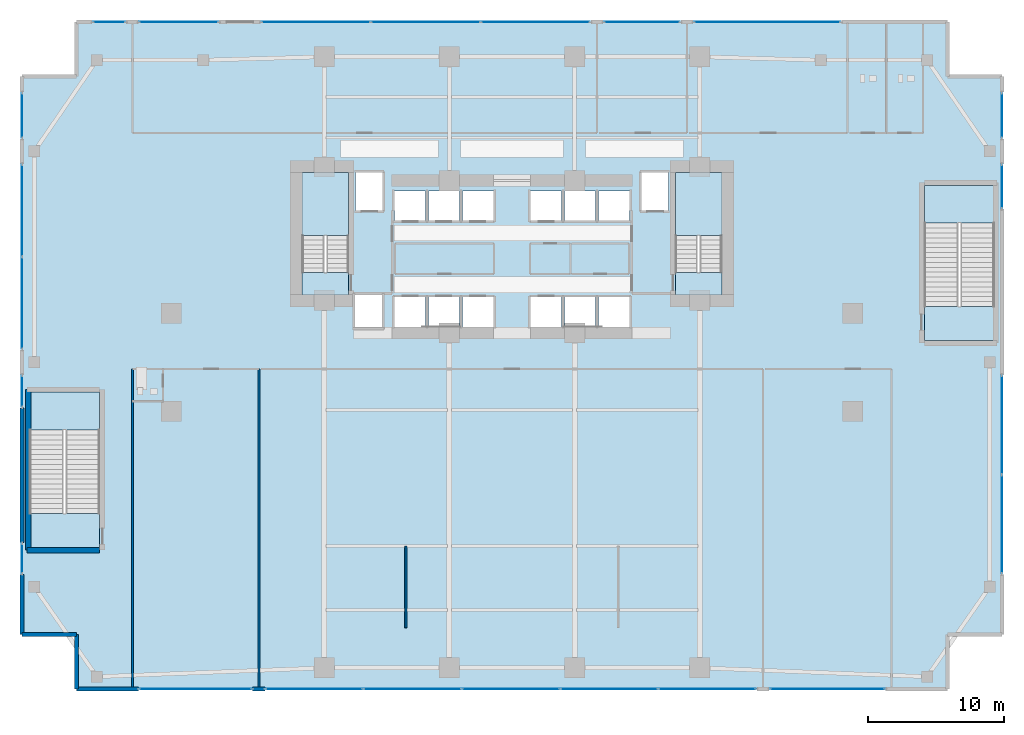
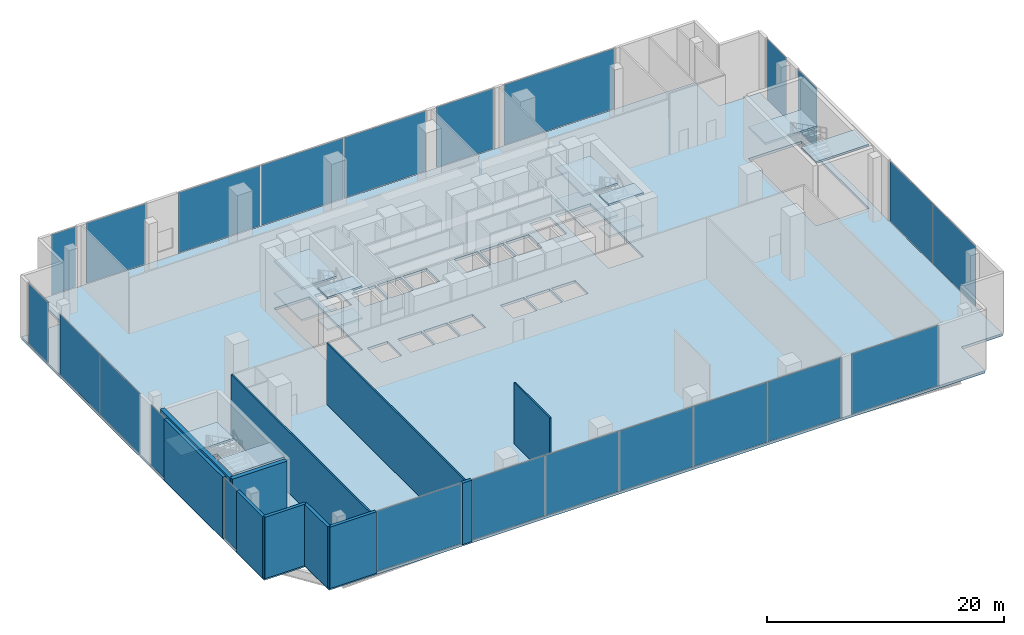
# One storey, part 22 of 30: 23 plates, 13 slabs, 11 walls, 19 elements without a shape of their own.
"""IFC4 building model written with IfcOpenShell, lengths in metres."""

import ifcopenshell
import ifcopenshell.guid

model = None  # the IFC model being written
_history = None  # IfcOwnerHistory: only IFC2X3 demands one
_inside = {}  # id of a spatial element -> (the spatial element, [elements in it])
_under = {}  # id of a project, library or spatial element -> (it, [spatial elements below it])
_declared = {}  # id of a project -> (the project, [libraries it declares])
_typed = {}  # id of a type object -> (the type object, [elements of that type])
_made_of = {}  # id of a material, layer set ... -> (it, [elements and type objects made of it])


def new_model(schema):
    """Start an empty IFC model of exactly this schema.

    Asked for "IFC4X3", IfcOpenShell would pick the latest addendum, in which some entities
    have other attributes; the version numbers below select the first issue.
    IFC2X3 requires an IfcOwnerHistory on every rooted entity: one is made here for all.
    """
    global model, _history
    if schema == "IFC4X3":
        model = ifcopenshell.file(schema_version=(4, 3, 0, 0))
    else:
        model = ifcopenshell.file(schema=schema)
    _inside.clear()
    _under.clear()
    _declared.clear()
    _typed.clear()
    _made_of.clear()
    _history = None
    if model.schema == "IFC2X3":
        org = make("IfcOrganization", Name="unknown")
        user = make(
            "IfcPersonAndOrganization",
            ThePerson=make("IfcPerson", FamilyName="unknown"),
            TheOrganization=org,
        )
        app = make(
            "IfcApplication",
            ApplicationDeveloper=org,
            Version="unknown",
            ApplicationFullName="unknown",
            ApplicationIdentifier="unknown",
        )
        _history = make(
            "IfcOwnerHistory",
            OwningUser=user,
            OwningApplication=app,
            ChangeAction="ADDED",
            CreationDate=0,
        )
    return model


def make(cls, **values):
    """One entity of the class cls with the attributes given. An attribute that is None is left unset."""
    return model.create_entity(
        cls, **{name: value for name, value in values.items() if value is not None}
    )


def rooted(cls, **values):
    """An entity with a GlobalId (a new one), such as an element, a storey or a relation."""
    return make(cls, GlobalId=ifcopenshell.guid.new(), OwnerHistory=_history, **values)


def si_unit(unit_type, name, prefix=None):
    """IfcSIUnit, for example si_unit("LENGTHUNIT", "METRE", prefix="MILLI")."""
    return make("IfcSIUnit", UnitType=unit_type, Prefix=prefix, Name=name)


def assignment(units):
    """IfcUnitAssignment: the units of a project."""
    return None if units is None else make("IfcUnitAssignment", Units=units)


def point(xyz):
    """IfcCartesianPoint."""
    return None if xyz is None else make("IfcCartesianPoint", Coordinates=xyz)


def direction(xyz):
    """IfcDirection."""
    return None if xyz is None else make("IfcDirection", DirectionRatios=xyz)


def frame(location, z_axis=None, x_axis=None):
    """IfcAxis2Placement3D, a coordinate frame: its origin and axes. An axis left out is left unset."""
    return make(
        "IfcAxis2Placement3D",
        Location=point(location),
        Axis=direction(z_axis),
        RefDirection=direction(x_axis),
    )


def frame_2d(location, x_axis=None):
    """IfcAxis2Placement2D, a coordinate frame in the plane: its origin and x axis."""
    return make(
        "IfcAxis2Placement2D", Location=point(location), RefDirection=direction(x_axis)
    )


def origin():
    """The frame at (0, 0, 0) with its axes left unset."""
    return frame((0.0, 0.0, 0.0))


def origin_2d():
    """The frame at (0, 0) in the plane with its x axis left unset."""
    return frame_2d((0.0, 0.0))


def place(relative_to, where):
    """IfcLocalPlacement: puts the frame where relative to a parent placement (None: the world)."""
    return make(
        "IfcLocalPlacement", PlacementRelTo=relative_to, RelativePlacement=where
    )


def context(
    kind, dimensions, precision=None, world=None, true_north=None, identifier=None
):
    """IfcGeometricRepresentationContext, for example the 3D "Model" context."""
    return make(
        "IfcGeometricRepresentationContext",
        ContextIdentifier=identifier,
        ContextType=kind,
        CoordinateSpaceDimension=dimensions,
        Precision=precision,
        WorldCoordinateSystem=world,
        TrueNorth=true_north,
    )


def subcontext(parent, identifier, kind, view, scale=None):
    """IfcGeometricRepresentationSubContext, for example "Body" below "Model"."""
    return make(
        "IfcGeometricRepresentationSubContext",
        ContextIdentifier=identifier,
        ContextType=kind,
        ParentContext=parent,
        TargetScale=scale,
        TargetView=view,
    )


def project(units=None, contexts=None):
    """IfcProject with its units and contexts."""
    return rooted(
        "IfcProject",
        Name="project",
        RepresentationContexts=contexts,
        UnitsInContext=assignment(units),
    )


def spatial(cls, under=None, at=None, **own):
    """A site, building, storey or space (cls), placed at a placement, below another one or the project."""
    s = rooted(cls, ObjectPlacement=at, **own)
    if under is not None:
        _under.setdefault(under.id(), (under, []))[1].append(s)
    return s


def polyline(points):
    """IfcPolyline through the points."""
    return make("IfcPolyline", Points=[point(p) for p in points])


def profile(cls, at=None, kind="AREA", **sizes):
    """A parametric profile (cls). Its sizes go by their IFC names, for example OverallWidth=200.0."""
    return make(cls, ProfileType=kind, Position=at, **sizes)


def rectangle(**sizes):
    """IfcRectangleProfileDef."""
    return profile("IfcRectangleProfileDef", **sizes)


def outline(outer, holes=None, kind="AREA"):
    """IfcArbitraryClosedProfileDef: a profile drawn as a closed curve; with holes, ...WithVoids."""
    if holes is None:
        return make("IfcArbitraryClosedProfileDef", ProfileType=kind, OuterCurve=outer)
    return make(
        "IfcArbitraryProfileDefWithVoids",
        ProfileType=kind,
        OuterCurve=outer,
        InnerCurves=holes,
    )


def extrude(swept, where, along, depth):
    """IfcExtrudedAreaSolid: the profile swept, set in the frame where, extruded along a direction by depth."""
    return make(
        "IfcExtrudedAreaSolid",
        SweptArea=swept,
        Position=where,
        ExtrudedDirection=direction(along),
        Depth=depth,
    )


def shape(context_of_items, identifier, shape_type, items):
    """IfcShapeRepresentation: the items that make up one representation, for example the "Body"."""
    return make(
        "IfcShapeRepresentation",
        ContextOfItems=context_of_items,
        RepresentationIdentifier=identifier,
        RepresentationType=shape_type,
        Items=items,
    )


def material(Name=None, Category=None):
    """IfcMaterial."""
    return make("IfcMaterial", Name=Name, Category=Category)


def layer(
    of_material, thickness, ventilated=None, Name=None, Category=None, Priority=None
):
    """IfcMaterialLayer: one layer of a wall or slab, of a material (None: an air gap)."""
    return make(
        "IfcMaterialLayer",
        Material=of_material,
        LayerThickness=thickness,
        IsVentilated=ventilated,
        Name=Name,
        Category=Category,
        Priority=Priority,
    )


def layer_set(layers, Name=None):
    """IfcMaterialLayerSet."""
    return make("IfcMaterialLayerSet", MaterialLayers=layers, LayerSetName=Name)


def made_of(thing, what):
    """Note that an element or type object is made of a material, layer set ...; save() writes the relation."""
    if what is not None:
        _made_of.setdefault(what.id(), (what, []))[1].append(thing)
    return thing


def type_object(cls, material=None, **own):
    """A type object (cls), such as IfcWallType, which elements share."""
    return made_of(rooted(cls, **own), material)


def element(
    cls,
    number,
    at=None,
    inside=None,
    cuts=None,
    type_object=None,
    material=None,
    context=None,
    identifier="Body",
    shape_type=None,
    held_by="IfcProductDefinitionShape",
    body=None,
    shapes=None,
    **own,
):
    """One element of the class cls, such as IfcWall. Its Tag is "e" and its number.

    at: its placement. inside: the storey or other place that contains it. cuts: it is an
    opening in that element (IfcRelVoidsElement). A single representation is given by context,
    identifier, shape_type and body (its items); several are given by shapes. held_by: the class
    of the entity that holds the representations. save() writes the other relations.
    """
    e = rooted(cls, Tag="e%d" % number, ObjectPlacement=at, **own)
    if body is not None:
        shapes = [shape(context, identifier, shape_type, body)]
    if shapes is not None:
        e.Representation = make(held_by, Representations=shapes)
    if inside is not None:
        _inside.setdefault(inside.id(), (inside, []))[1].append(e)
    if cuts is not None:
        rooted(
            "IfcRelVoidsElement", RelatingBuildingElement=cuts, RelatedOpeningElement=e
        )
    if type_object is not None:
        _typed.setdefault(type_object.id(), (type_object, []))[1].append(e)
    return made_of(e, material)


def aggregate(whole, parts):
    """IfcRelAggregates: a whole, such as a stair, and the parts it consists of."""
    return rooted("IfcRelAggregates", RelatingObject=whole, RelatedObjects=parts)


def save(model, path):
    """Write the relations noted so far, then the file.

    IfcRelAggregates (storeys below a building ...), IfcRelContainedInSpatialStructure (elements
    in a storey), IfcRelDefinesByType, IfcRelAssociatesMaterial and IfcRelDeclares: one each for
    every whole, place, type object, material and project.
    """
    for whole, parts in _under.values():
        aggregate(whole, parts)
    for where, things in _inside.values():
        rooted(
            "IfcRelContainedInSpatialStructure",
            RelatedElements=things,
            RelatingStructure=where,
        )
    for kind, things in _typed.values():
        rooted("IfcRelDefinesByType", RelatedObjects=things, RelatingType=kind)
    for what, things in _made_of.values():
        rooted("IfcRelAssociatesMaterial", RelatedObjects=things, RelatingMaterial=what)
    for by, libraries in _declared.values():
        rooted("IfcRelDeclares", RelatingContext=by, RelatedDefinitions=libraries)
    model.write(path)


model = new_model("IFC4")

# Units and contexts
model_context = context("Model", 3, precision=1e-05, world=origin(), true_north=direction((0.0, 1.0)))
body_context = subcontext(model_context, "Body", "Model", "MODEL_VIEW")
ifc_project = project(units=[si_unit("LENGTHUNIT", "METRE"), si_unit("AREAUNIT", "SQUARE_METRE"), si_unit("VOLUMEUNIT", "CUBIC_METRE"), si_unit("PLANEANGLEUNIT", "RADIAN"), si_unit("MASSUNIT", "GRAM", prefix="KILO")], contexts=[model_context])

# Site, building, storey
site_placement = place(None, origin())
site = spatial("IfcSite", under=ifc_project, at=site_placement, CompositionType="ELEMENT")
building_placement = place(site_placement, origin())
building = spatial("IfcBuilding", under=site, at=building_placement, Name="Zuhayl Quay Hotel", CompositionType="ELEMENT")
storey_placement = place(building_placement, frame((0.0, 0.0, 11.39990234375)))
storey = spatial("IfcBuildingStorey", under=building, at=storey_placement, Name="L02", CompositionType="ELEMENT", Elevation=11.39990234375)

# Curtain wall, plate
ifc_material_1 = material(Name="Anodised Aluminium 6063-T6", Category="aluminium")
ifc_layer_1 = layer(ifc_material_1, 0.199951171875, Name="Anodised Aluminium 6063-T6", Category="aluminium")
ifc_layer_set_1 = layer_set([ifc_layer_1], Name="Anodised Aluminium 6063-T6")
curtain_wall_type = type_object("IfcCurtainWallType", Name="CW_SYS_POD", PredefinedType="USERDEFINED", material=ifc_layer_set_1)
curtain_wall_1_placement = place(storey_placement, origin())
curtain_wall_1 = element("IfcCurtainWall", 1, at=curtain_wall_1_placement, inside=storey, type_object=curtain_wall_type, Name="L02 Curtain Wall ENV_L02_E02_CW1", ObjectType="UNITISED CURTAIN WALL", PredefinedType="USERDEFINED")
ifc_material_2 = material(Name="Low-E Insulated Clear Vision Glass", Category="glass")
ifc_layer_2 = layer(ifc_material_2, 0.031982421875, Name="Low-E Insulated Clear Vision Glass", Category="glass")
ifc_layer_set_2 = layer_set([ifc_layer_2], Name="Low-E Insulated Clear Vision Glass")
plate_type = type_object("IfcPlateType", Name="PN_POD_VISION", PredefinedType="CURTAIN_PANEL", material=ifc_layer_set_2)
plate_1_placement = place(storey_placement, frame((-36.0, -14.4150390625, 0.06005859375), z_axis=(0.0, 0.0, 1.0), x_axis=(0.0, 1.0, 0.0)))
plate_1 = element("IfcPlate", 2, at=plate_1_placement, type_object=plate_type, Name="CW-POD panel 1.1", PredefinedType="CURTAIN_PANEL", context=body_context, shape_type="SweptSolid", body=[
    extrude(rectangle(XDim=2.179931640625, YDim=0.031982421875, at=origin_2d()), origin(), (0.0, 0.0, 1.0), 6.219970703125),
])
aggregate(curtain_wall_1, [plate_1])

curtain_wall_2_placement = place(storey_placement, origin())
curtain_wall_2 = element("IfcCurtainWall", 3, at=curtain_wall_2_placement, inside=storey, type_object=curtain_wall_type, Name="L02 Curtain Wall ENV_L02_E02_CW2", ObjectType="UNITISED CURTAIN WALL", PredefinedType="USERDEFINED")
plate_2_placement = place(storey_placement, frame((-36.0, -2.135009765625, 0.06005859375), z_axis=(0.0, 0.0, 1.0), x_axis=(0.0, 1.0, 0.0)))
plate_2 = element("IfcPlate", 4, at=plate_2_placement, type_object=plate_type, Name="CW-POD panel 1.1", PredefinedType="CURTAIN_PANEL", context=body_context, shape_type="SweptSolid", body=[
    extrude(rectangle(XDim=2.280029296875, YDim=0.031982421875, at=origin_2d()), origin(), (0.0, 0.0, 1.0), 6.219970703125),
])
aggregate(curtain_wall_2, [plate_2])

# Curtain wall, plates
curtain_wall_3_placement = place(storey_placement, origin())
curtain_wall_3 = element("IfcCurtainWall", 5, at=curtain_wall_3_placement, inside=storey, type_object=curtain_wall_type, Name="L02 Curtain Wall ENV_L02_E02_CW3", ObjectType="UNITISED CURTAIN WALL", PredefinedType="USERDEFINED")
plate_3_placement = place(storey_placement, frame((-36.0, 4.353759765625, 0.06005859375), z_axis=(0.0, 0.0, 1.0), x_axis=(0.0, 1.0, 0.0)))
plate_3 = element("IfcPlate", 6, at=plate_3_placement, type_object=plate_type, Name="CW-POD panel 1.1", PredefinedType="CURTAIN_PANEL", context=body_context, shape_type="SweptSolid", body=[
    extrude(rectangle(XDim=6.717529296875, YDim=0.031982421875, at=origin_2d()), origin(), (0.0, 0.0, 1.0), 6.219970703125),
])
plate_4_placement = place(storey_placement, frame((-36.0, 11.146240234375, 0.06005859375), z_axis=(0.0, 0.0, 1.0), x_axis=(0.0, 1.0, 0.0)))
plate_4 = element("IfcPlate", 7, at=plate_4_placement, type_object=plate_type, Name="CW-POD panel 2.1", PredefinedType="CURTAIN_PANEL", context=body_context, shape_type="SweptSolid", body=[
    extrude(rectangle(XDim=6.717529296875, YDim=0.031982421875, at=origin_2d()), origin(), (0.0, 0.0, 1.0), 6.219970703125),
])
aggregate(curtain_wall_3, [plate_3, plate_4])

# Curtain wall, plate
curtain_wall_4_placement = place(storey_placement, origin())
curtain_wall_4 = element("IfcCurtainWall", 8, at=curtain_wall_4_placement, inside=storey, type_object=curtain_wall_type, Name="L02 Curtain Wall ENV_L02_E02_CW4", ObjectType="UNITISED CURTAIN WALL", PredefinedType="USERDEFINED")
plate_5_placement = place(storey_placement, frame((-36.0, 18.135009765625, 0.06005859375), z_axis=(0.0, 0.0, 1.0), x_axis=(0.0, 1.0, 0.0)))
plate_5 = element("IfcPlate", 9, at=plate_5_placement, type_object=plate_type, Name="CW-POD panel 1.1", PredefinedType="CURTAIN_PANEL", context=body_context, shape_type="SweptSolid", body=[
    extrude(rectangle(XDim=3.280029296875, YDim=0.031982421875, at=origin_2d()), origin(), (0.0, 0.0, 1.0), 6.219970703125),
])
aggregate(curtain_wall_4, [plate_5])

curtain_wall_5_placement = place(storey_placement, origin())
curtain_wall_5 = element("IfcCurtainWall", 10, at=curtain_wall_5_placement, inside=storey, type_object=curtain_wall_type, Name="L02 Curtain Wall ENV_L02_E05_CW1", ObjectType="UNITISED CURTAIN WALL", PredefinedType="USERDEFINED")
plate_6_placement = place(storey_placement, frame((-29.60009765625, 25.0, 0.06005859375), z_axis=(0.0, 0.0, 1.0), x_axis=(1.0, 0.0, 0.0)))
plate_6 = element("IfcPlate", 11, at=plate_6_placement, type_object=plate_type, Name="CW-POD panel 1.1", PredefinedType="CURTAIN_PANEL", context=body_context, shape_type="SweptSolid", body=[
    extrude(rectangle(XDim=2.35009765625, YDim=0.031982421875, at=origin_2d()), origin(), (0.0, 0.0, 1.0), 6.219970703125),
])
aggregate(curtain_wall_5, [plate_6])

curtain_wall_6_placement = place(storey_placement, origin())
curtain_wall_6 = element("IfcCurtainWall", 12, at=curtain_wall_6_placement, inside=storey, type_object=curtain_wall_type, Name="L02 Curtain Wall ENV_L02_E05_CW2", ObjectType="UNITISED CURTAIN WALL", PredefinedType="USERDEFINED")
plate_7_placement = place(storey_placement, frame((-24.487548828125, 25.0, 0.06005859375), z_axis=(0.0, 0.0, 1.0), x_axis=(1.0, 0.0, 0.0)))
plate_7 = element("IfcPlate", 13, at=plate_7_placement, type_object=plate_type, Name="CW-POD panel 1.1", PredefinedType="CURTAIN_PANEL", context=body_context, shape_type="SweptSolid", body=[
    extrude(rectangle(XDim=5.77490234375, YDim=0.031982421875, at=origin_2d()), origin(), (0.0, 0.0, 1.0), 6.219970703125),
])
aggregate(curtain_wall_6, [plate_7])

# Curtain wall, plates
curtain_wall_7_placement = place(storey_placement, origin())
curtain_wall_7 = element("IfcCurtainWall", 14, at=curtain_wall_7_placement, inside=storey, type_object=curtain_wall_type, Name="L02 Curtain Wall ENV_L02_E05_CW3", ObjectType="UNITISED CURTAIN WALL", PredefinedType="USERDEFINED")
plate_8_placement = place(storey_placement, frame((-14.412109375, 25.0, 0.06005859375), z_axis=(0.0, 0.0, 1.0), x_axis=(1.0, 0.0, 0.0)))
plate_8 = element("IfcPlate", 15, at=plate_8_placement, type_object=plate_type, Name="CW-POD panel 1.1", PredefinedType="CURTAIN_PANEL", context=body_context, shape_type="SweptSolid", body=[
    extrude(rectangle(XDim=7.975830078125, YDim=0.031982421875, at=origin_2d()), origin(), (0.0, 0.0, 1.0), 6.219970703125),
])
plate_9_placement = place(storey_placement, frame((-6.342529296875, 25.0, 0.06005859375), z_axis=(0.0, 0.0, 1.0), x_axis=(1.0, 0.0, 0.0)))
plate_9 = element("IfcPlate", 16, at=plate_9_placement, type_object=plate_type, Name="CW-POD panel 2.1", PredefinedType="CURTAIN_PANEL", context=body_context, shape_type="SweptSolid", body=[
    extrude(rectangle(XDim=8.013427734375, YDim=0.031982421875, at=origin_2d()), origin(), (0.0, 0.0, 1.0), 6.219970703125),
])
plate_10_placement = place(storey_placement, frame((1.72705078125, 25.0, 0.06005859375), z_axis=(0.0, 0.0, 1.0), x_axis=(1.0, 0.0, 0.0)))
plate_10 = element("IfcPlate", 17, at=plate_10_placement, type_object=plate_type, Name="CW-POD panel 3.1", PredefinedType="CURTAIN_PANEL", context=body_context, shape_type="SweptSolid", body=[
    extrude(rectangle(XDim=7.975830078125, YDim=0.031982421875, at=origin_2d()), origin(), (0.0, 0.0, 1.0), 6.219970703125),
])
aggregate(curtain_wall_7, [plate_8, plate_9, plate_10])

# Curtain wall, plate
curtain_wall_8_placement = place(storey_placement, origin())
curtain_wall_8 = element("IfcCurtainWall", 18, at=curtain_wall_8_placement, inside=storey, type_object=curtain_wall_type, Name="L02 Curtain Wall ENV_L02_E05_CW4", ObjectType="UNITISED CURTAIN WALL", PredefinedType="USERDEFINED")
plate_11_placement = place(storey_placement, frame((9.544921875, 25.0, 0.06005859375), z_axis=(0.0, 0.0, 1.0), x_axis=(1.0, 0.0, 0.0)))
plate_11 = element("IfcPlate", 19, at=plate_11_placement, type_object=plate_type, Name="CW-POD panel 1.1", PredefinedType="CURTAIN_PANEL", context=body_context, shape_type="SweptSolid", body=[
    extrude(rectangle(XDim=5.56005859375, YDim=0.031982421875, at=origin_2d()), origin(), (0.0, 0.0, 1.0), 6.219970703125),
])
aggregate(curtain_wall_8, [plate_11])

curtain_wall_9_placement = place(storey_placement, origin())
curtain_wall_9 = element("IfcCurtainWall", 20, at=curtain_wall_9_placement, inside=storey, type_object=curtain_wall_type, Name="L02 Curtain Wall ENV_L02_E05_CW5", ObjectType="UNITISED CURTAIN WALL", PredefinedType="USERDEFINED")
plate_12_placement = place(storey_placement, frame((18.75, 25.0, 0.06005859375), z_axis=(0.0, 0.0, 1.0), x_axis=(1.0, 0.0, 0.0)))
plate_12 = element("IfcPlate", 21, at=plate_12_placement, type_object=plate_type, Name="CW-POD panel 1.1", PredefinedType="CURTAIN_PANEL", context=body_context, shape_type="SweptSolid", body=[
    extrude(rectangle(XDim=10.75, YDim=0.031982421875, at=origin_2d()), origin(), (0.0, 0.0, 1.0), 6.219970703125),
])
aggregate(curtain_wall_9, [plate_12])

curtain_wall_10_placement = place(storey_placement, origin())
curtain_wall_10 = element("IfcCurtainWall", 22, at=curtain_wall_10_placement, inside=storey, type_object=curtain_wall_type, Name="L02 Curtain Wall ENV_L02_E08_CW1", ObjectType="UNITISED CURTAIN WALL", PredefinedType="USERDEFINED")
plate_13_placement = place(storey_placement, frame((36.0, 18.135009765625, 0.06005859375), z_axis=(0.0, 0.0, 1.0), x_axis=(0.0, -1.0, 0.0)))
plate_13 = element("IfcPlate", 23, at=plate_13_placement, type_object=plate_type, Name="CW-POD panel 1.1", PredefinedType="CURTAIN_PANEL", context=body_context, shape_type="SweptSolid", body=[
    extrude(rectangle(XDim=3.280029296875, YDim=0.031982421875, at=origin_2d()), origin(), (0.0, 0.0, 1.0), 6.219970703125),
])
aggregate(curtain_wall_10, [plate_13])

curtain_wall_11_placement = place(storey_placement, origin())
curtain_wall_11 = element("IfcCurtainWall", 24, at=curtain_wall_11_placement, inside=storey, type_object=curtain_wall_type, Name="L02 Curtain Wall ENV_L02_E08_CW2", ObjectType="UNITISED CURTAIN WALL", PredefinedType="USERDEFINED")
plate_14_placement = place(storey_placement, frame((36.0, 12.9150390625, 0.06005859375), z_axis=(0.0, 0.0, 1.0), x_axis=(0.0, -1.0, 0.0)))
plate_14 = element("IfcPlate", 25, at=plate_14_placement, type_object=plate_type, Name="CW-POD panel 1.1", PredefinedType="CURTAIN_PANEL", context=body_context, shape_type="SweptSolid", body=[
    extrude(rectangle(XDim=3.179931640625, YDim=0.031982421875, at=origin_2d()), origin(), (0.0, 0.0, 1.0), 6.219970703125),
])
aggregate(curtain_wall_11, [plate_14])

# Curtain wall, plates
curtain_wall_12_placement = place(storey_placement, origin())
curtain_wall_12 = element("IfcCurtainWall", 26, at=curtain_wall_12_placement, inside=storey, type_object=curtain_wall_type, Name="L02 Curtain Wall ENV_L02_E08_CW3", ObjectType="UNITISED CURTAIN WALL", PredefinedType="USERDEFINED")
plate_15_placement = place(storey_placement, frame((36.0, -4.603759765625, 0.06005859375), z_axis=(0.0, 0.0, 1.0), x_axis=(0.0, -1.0, 0.0)))
plate_15 = element("IfcPlate", 27, at=plate_15_placement, type_object=plate_type, Name="CW-POD panel 1.1", PredefinedType="CURTAIN_PANEL", context=body_context, shape_type="SweptSolid", body=[
    extrude(rectangle(XDim=7.217529296875, YDim=0.031982421875, at=origin_2d()), origin(), (0.0, 0.0, 1.0), 6.219970703125),
])
plate_16_placement = place(storey_placement, frame((36.0, -11.896240234375, 0.06005859375), z_axis=(0.0, 0.0, 1.0), x_axis=(0.0, -1.0, 0.0)))
plate_16 = element("IfcPlate", 28, at=plate_16_placement, type_object=plate_type, Name="CW-POD panel 2.1", PredefinedType="CURTAIN_PANEL", context=body_context, shape_type="SweptSolid", body=[
    extrude(rectangle(XDim=7.217529296875, YDim=0.031982421875, at=origin_2d()), origin(), (0.0, 0.0, 1.0), 6.219970703125),
])
aggregate(curtain_wall_12, [plate_15, plate_16])

# Curtain wall, plate
curtain_wall_13_placement = place(storey_placement, origin())
curtain_wall_13 = element("IfcCurtainWall", 29, at=curtain_wall_13_placement, inside=storey, type_object=curtain_wall_type, Name="L02 Curtain Wall ENV_L02_E11_CW1", ObjectType="UNITISED CURTAIN WALL", PredefinedType="USERDEFINED")
plate_17_placement = place(storey_placement, frame((23.169921875, -24.0, 0.06005859375), z_axis=(0.0, 0.0, 1.0), x_axis=(-1.0, 0.0, 0.0)))
plate_17 = element("IfcPlate", 30, at=plate_17_placement, type_object=plate_type, Name="CW-POD panel 1.1", PredefinedType="CURTAIN_PANEL", context=body_context, shape_type="SweptSolid", body=[
    extrude(rectangle(XDim=8.409912109375, YDim=0.031982421875, at=origin_2d()), origin(), (0.0, 0.0, 1.0), 6.219970703125),
])
aggregate(curtain_wall_13, [plate_17])

# Curtain wall, plates
curtain_wall_14_placement = place(storey_placement, origin())
curtain_wall_14 = element("IfcCurtainWall", 31, at=curtain_wall_14_placement, inside=storey, type_object=curtain_wall_type, Name="L02 Curtain Wall ENV_L02_E11_CW2", ObjectType="UNITISED CURTAIN WALL", PredefinedType="USERDEFINED")
plate_18_placement = place(storey_placement, frame((14.357177734375, -24.0, 0.06005859375), z_axis=(0.0, 0.0, 1.0), x_axis=(-1.0, 0.0, 0.0)))
plate_18 = element("IfcPlate", 32, at=plate_18_placement, type_object=plate_type, Name="CW-POD panel 1.1", PredefinedType="CURTAIN_PANEL", context=body_context, shape_type="SweptSolid", body=[
    extrude(rectangle(XDim=7.115478515625, YDim=0.031982421875, at=origin_2d()), origin(), (0.0, 0.0, 1.0), 6.219970703125),
])
plate_19_placement = place(storey_placement, frame((7.14794921875, -24.0, 0.06005859375), z_axis=(0.0, 0.0, 1.0), x_axis=(-1.0, 0.0, 0.0)))
plate_19 = element("IfcPlate", 33, at=plate_19_placement, type_object=plate_type, Name="CW-POD panel 2.1", PredefinedType="CURTAIN_PANEL", context=body_context, shape_type="SweptSolid", body=[
    extrude(rectangle(XDim=7.153076171875, YDim=0.031982421875, at=origin_2d()), origin(), (0.0, 0.0, 1.0), 6.219970703125),
])
plate_20_placement = place(storey_placement, frame((-0.080078125, -24.0, 0.06005859375), z_axis=(0.0, 0.0, 1.0), x_axis=(-1.0, 0.0, 0.0)))
plate_20 = element("IfcPlate", 34, at=plate_20_placement, type_object=plate_type, Name="CW-POD panel 3.1", PredefinedType="CURTAIN_PANEL", context=body_context, shape_type="SweptSolid", body=[
    extrude(rectangle(XDim=7.153076171875, YDim=0.031982421875, at=origin_2d()), origin(), (0.0, 0.0, 1.0), 6.219970703125),
])
plate_21_placement = place(storey_placement, frame((-7.30810546875, -24.0, 0.06005859375), z_axis=(0.0, 0.0, 1.0), x_axis=(-1.0, 0.0, 0.0)))
plate_21 = element("IfcPlate", 35, at=plate_21_placement, type_object=plate_type, Name="CW-POD panel 4.1", PredefinedType="CURTAIN_PANEL", context=body_context, shape_type="SweptSolid", body=[
    extrude(rectangle(XDim=7.153076171875, YDim=0.031982421875, at=origin_2d()), origin(), (0.0, 0.0, 1.0), 6.219970703125),
])
plate_22_placement = place(storey_placement, frame((-14.517333984375, -24.0, 0.06005859375), z_axis=(0.0, 0.0, 1.0), x_axis=(-1.0, 0.0, 0.0)))
plate_22 = element("IfcPlate", 36, at=plate_22_placement, type_object=plate_type, Name="CW-POD panel 5.1", PredefinedType="CURTAIN_PANEL", context=body_context, shape_type="SweptSolid", body=[
    extrude(rectangle(XDim=7.115478515625, YDim=0.031982421875, at=origin_2d()), origin(), (0.0, 0.0, 1.0), 6.219970703125),
])
aggregate(curtain_wall_14, [plate_18, plate_19, plate_20, plate_21, plate_22])

# Curtain wall, plate
curtain_wall_15_placement = place(storey_placement, origin())
curtain_wall_15 = element("IfcCurtainWall", 37, at=curtain_wall_15_placement, inside=storey, type_object=curtain_wall_type, Name="L02 Curtain Wall ENV_L02_E11_CW3", ObjectType="UNITISED CURTAIN WALL", PredefinedType="USERDEFINED")
plate_23_placement = place(storey_placement, frame((-23.25, -24.0, 0.06005859375), z_axis=(0.0, 0.0, 1.0), x_axis=(-1.0, 0.0, 0.0)))
plate_23 = element("IfcPlate", 38, at=plate_23_placement, type_object=plate_type, Name="CW-POD panel 1.1", PredefinedType="CURTAIN_PANEL", context=body_context, shape_type="SweptSolid", body=[
    extrude(rectangle(XDim=8.25, YDim=0.031982421875, at=origin_2d()), origin(), (0.0, 0.0, 1.0), 6.219970703125),
])
aggregate(curtain_wall_15, [plate_23])

# Slab
ifc_material_3 = material(Name="Concrete C45/55", Category="concrete")
ifc_layer_3 = layer(ifc_material_3, 0.260009765625, Name="Concrete C45/55", Category="concrete")
ifc_layer_set_3 = layer_set([ifc_layer_3], Name="Concrete C45/55")
slab_type_1 = type_object("IfcSlabType", Name="SL_FLOOR_260", PredefinedType="FLOOR", material=ifc_layer_set_3)
slab_1_placement = place(storey_placement, frame((0.0, 0.0, -0.260009765625)))
element("IfcSlab", 39, at=slab_1_placement, inside=storey, type_object=slab_type_1, Name="L02 Structural Floor Slab", PredefinedType="FLOOR", context=body_context, shape_type="SweptSolid", body=[
    extrude(outline(polyline([(-32.0, -24.0), (32.0, -24.0), (32.0, -20.0), (36.0, -20.0), (36.0, 21.0), (32.0, 21.0), (32.0, 25.0), (-32.0, 25.0), (-32.0, 21.0), (-36.0, 21.0), (-36.0, -20.0), (-32.0, -20.0), (-32.0, -24.0)]), holes=[polyline([(-12.0, 4.949951171875), (-12.0, 13.949951171875), (-15.429931640625, 13.949951171875), (-15.429931640625, 4.949951171875), (-12.0, 4.949951171875)]), polyline([(15.429931640625, 4.949951171875), (15.429931640625, 13.949951171875), (12.0, 13.949951171875), (12.0, 4.949951171875), (15.429931640625, 4.949951171875)]), polyline([(-30.300048828125, -13.60009765625), (-30.300048828125, -2.199951171875), (-35.449951171875, -2.199951171875), (-35.449951171875, -13.60009765625), (-30.300048828125, -13.60009765625)]), polyline([(35.449951171875, 1.60009765625), (35.449951171875, 13.0), (30.300048828125, 13.0), (30.300048828125, 1.60009765625), (35.449951171875, 1.60009765625)]), polyline([(-11.5, 11.14990234375), (-9.5, 11.14990234375), (-9.5, 13.949951171875), (-11.5, 13.949951171875), (-11.5, 11.14990234375)]), polyline([(9.5, 11.14990234375), (11.5, 11.14990234375), (11.5, 13.949951171875), (9.5, 13.949951171875), (9.5, 11.14990234375)]), polyline([(-8.64990234375, 2.60009765625), (-6.35009765625, 2.60009765625), (-6.35009765625, 4.800048828125), (-8.64990234375, 4.800048828125), (-8.64990234375, 2.60009765625)]), polyline([(-6.14990234375, 2.60009765625), (-3.85009765625, 2.60009765625), (-3.85009765625, 4.800048828125), (-6.14990234375, 4.800048828125), (-6.14990234375, 2.60009765625)]), polyline([(-8.64990234375, 10.39990234375), (-6.35009765625, 10.39990234375), (-6.35009765625, 12.60009765625), (-8.64990234375, 12.60009765625), (-8.64990234375, 10.39990234375)]), polyline([(-6.14990234375, 10.39990234375), (-3.85009765625, 10.39990234375), (-3.85009765625, 12.60009765625), (-6.14990234375, 12.60009765625), (-6.14990234375, 10.39990234375)]), polyline([(-3.64990234375, 2.60009765625), (-1.35009765625, 2.60009765625), (-1.35009765625, 4.800048828125), (-3.64990234375, 4.800048828125), (-3.64990234375, 2.60009765625)]), polyline([(1.35009765625, 2.60009765625), (3.64990234375, 2.60009765625), (3.64990234375, 4.800048828125), (1.35009765625, 4.800048828125), (1.35009765625, 2.60009765625)]), polyline([(-3.64990234375, 10.39990234375), (-1.35009765625, 10.39990234375), (-1.35009765625, 12.60009765625), (-3.64990234375, 12.60009765625), (-3.64990234375, 10.39990234375)]), polyline([(1.35009765625, 10.39990234375), (3.64990234375, 10.39990234375), (3.64990234375, 12.60009765625), (1.35009765625, 12.60009765625), (1.35009765625, 10.39990234375)]), polyline([(3.85009765625, 2.60009765625), (6.14990234375, 2.60009765625), (6.14990234375, 4.800048828125), (3.85009765625, 4.800048828125), (3.85009765625, 2.60009765625)]), polyline([(6.35009765625, 2.60009765625), (8.64990234375, 2.60009765625), (8.64990234375, 4.800048828125), (6.35009765625, 4.800048828125), (6.35009765625, 2.60009765625)]), polyline([(3.85009765625, 10.39990234375), (6.14990234375, 10.39990234375), (6.14990234375, 12.60009765625), (3.85009765625, 12.60009765625), (3.85009765625, 10.39990234375)]), polyline([(6.35009765625, 10.39990234375), (8.64990234375, 10.39990234375), (8.64990234375, 12.60009765625), (6.35009765625, 12.60009765625), (6.35009765625, 10.39990234375)]), polyline([(-11.550048828125, 2.550048828125), (-9.550048828125, 2.550048828125), (-9.550048828125, 4.949951171875), (-11.550048828125, 4.949951171875), (-11.550048828125, 2.550048828125)])]), origin(), (0.0, 0.0, 1.0), 0.260009765625),
])

# Stair, slabs
stair_type_1 = type_object("IfcStairType", Name="ST_DOGLEG_TOWER", PredefinedType="HALF_TURN_STAIR", material=ifc_material_3)
stair_1_placement = place(storey_placement, origin())
stair_1 = element("IfcStair", 40, at=stair_1_placement, inside=storey, type_object=stair_type_1, Name="L02 Smokeproof Exit Stair ST1", PredefinedType="HALF_TURN_STAIR")
ifc_layer_4 = layer(ifc_material_3, 0.199951171875, Name="Concrete C45/55", Category="concrete")
ifc_layer_set_4 = layer_set([ifc_layer_4], Name="Concrete C45/55")
slab_type_2 = type_object("IfcSlabType", Name="SL_STAIR_LANDING_200", PredefinedType="LANDING", material=ifc_layer_set_4)
slab_2_placement = place(storey_placement, frame((0.0, 0.0, 1.4501953125)))
slab_2 = element("IfcSlab", 41, at=slab_2_placement, type_object=slab_type_2, Name="ST1 landing 1", PredefinedType="LANDING", context=body_context, shape_type="SweptSolid", body=[
    extrude(outline(polyline([(-12.0, 9.31005859375), (-12.0, 13.949951171875), (-15.429931640625, 13.949951171875), (-15.429931640625, 9.31005859375), (-12.0, 9.31005859375)])), origin(), (0.0, 0.0, 1.0), 0.199951171875),
])
slab_3_placement = place(storey_placement, frame((0.0, 0.0, 3.10009765625)))
slab_3 = element("IfcSlab", 42, at=slab_3_placement, type_object=slab_type_2, Name="ST1 landing 2", PredefinedType="LANDING", context=body_context, shape_type="SweptSolid", body=[
    extrude(outline(polyline([(-12.0, 4.949951171875), (-12.0, 6.590087890625), (-15.429931640625, 6.590087890625), (-15.429931640625, 4.949951171875), (-12.0, 4.949951171875)])), origin(), (0.0, 0.0, 1.0), 0.199951171875),
])
slab_4_placement = place(storey_placement, frame((0.0, 0.0, 4.75)))
slab_4 = element("IfcSlab", 43, at=slab_4_placement, type_object=slab_type_2, Name="ST1 landing 3", PredefinedType="LANDING", context=body_context, shape_type="SweptSolid", body=[
    extrude(outline(polyline([(-12.0, 9.31005859375), (-12.0, 13.949951171875), (-15.429931640625, 13.949951171875), (-15.429931640625, 9.31005859375), (-12.0, 9.31005859375)])), origin(), (0.0, 0.0, 1.0), 0.2001953125),
])
slab_5_placement = place(storey_placement, frame((0.0, 0.0, 6.400146484375)))
slab_5 = element("IfcSlab", 44, at=slab_5_placement, type_object=slab_type_2, Name="ST1 landing 4", PredefinedType="LANDING", context=body_context, shape_type="SweptSolid", body=[
    extrude(outline(polyline([(-12.0, 4.949951171875), (-12.0, 6.590087890625), (-15.429931640625, 6.590087890625), (-15.429931640625, 4.949951171875), (-12.0, 4.949951171875)])), origin(), (0.0, 0.0, 1.0), 0.199951171875),
])
aggregate(stair_1, [slab_2, slab_3, slab_4, slab_5])

stair_2_placement = place(storey_placement, origin())
stair_2 = element("IfcStair", 45, at=stair_2_placement, inside=storey, type_object=stair_type_1, Name="L02 Smokeproof Exit Stair ST2", PredefinedType="HALF_TURN_STAIR")
slab_6_placement = place(storey_placement, frame((0.0, 0.0, 1.4501953125)))
slab_6 = element("IfcSlab", 46, at=slab_6_placement, type_object=slab_type_2, Name="ST2 landing 1", PredefinedType="LANDING", context=body_context, shape_type="SweptSolid", body=[
    extrude(outline(polyline([(15.429931640625, 9.31005859375), (15.429931640625, 13.949951171875), (12.0, 13.949951171875), (12.0, 9.31005859375), (15.429931640625, 9.31005859375)])), origin(), (0.0, 0.0, 1.0), 0.199951171875),
])
slab_7_placement = place(storey_placement, frame((0.0, 0.0, 3.10009765625)))
slab_7 = element("IfcSlab", 47, at=slab_7_placement, type_object=slab_type_2, Name="ST2 landing 2", PredefinedType="LANDING", context=body_context, shape_type="SweptSolid", body=[
    extrude(outline(polyline([(15.429931640625, 4.949951171875), (15.429931640625, 6.590087890625), (12.0, 6.590087890625), (12.0, 4.949951171875), (15.429931640625, 4.949951171875)])), origin(), (0.0, 0.0, 1.0), 0.199951171875),
])
slab_8_placement = place(storey_placement, frame((0.0, 0.0, 4.75)))
slab_8 = element("IfcSlab", 48, at=slab_8_placement, type_object=slab_type_2, Name="ST2 landing 3", PredefinedType="LANDING", context=body_context, shape_type="SweptSolid", body=[
    extrude(outline(polyline([(15.429931640625, 9.31005859375), (15.429931640625, 13.949951171875), (12.0, 13.949951171875), (12.0, 9.31005859375), (15.429931640625, 9.31005859375)])), origin(), (0.0, 0.0, 1.0), 0.2001953125),
])
slab_9_placement = place(storey_placement, frame((0.0, 0.0, 6.400146484375)))
slab_9 = element("IfcSlab", 49, at=slab_9_placement, type_object=slab_type_2, Name="ST2 landing 4", PredefinedType="LANDING", context=body_context, shape_type="SweptSolid", body=[
    extrude(outline(polyline([(15.429931640625, 4.949951171875), (15.429931640625, 6.590087890625), (12.0, 6.590087890625), (12.0, 4.949951171875), (15.429931640625, 4.949951171875)])), origin(), (0.0, 0.0, 1.0), 0.199951171875),
])
aggregate(stair_2, [slab_6, slab_7, slab_8, slab_9])

stair_type_2 = type_object("IfcStairType", Name="ST_DOGLEG_PODIUM", PredefinedType="HALF_TURN_STAIR", material=ifc_material_3)
stair_3_placement = place(storey_placement, origin())
stair_3 = element("IfcStair", 50, at=stair_3_placement, inside=storey, type_object=stair_type_2, Name="L02 Smokeproof Exit Stair ST3", PredefinedType="HALF_TURN_STAIR")
slab_10_placement = place(storey_placement, frame((0.0, 0.0, 3.10009765625)))
slab_10 = element("IfcSlab", 51, at=slab_10_placement, type_object=slab_type_2, Name="ST3 landing 1", PredefinedType="LANDING", context=body_context, shape_type="SweptSolid", body=[
    extrude(outline(polyline([(-30.300048828125, -4.97998046875), (-30.300048828125, -2.199951171875), (-35.449951171875, -2.199951171875), (-35.449951171875, -4.97998046875), (-30.300048828125, -4.97998046875)])), origin(), (0.0, 0.0, 1.0), 0.199951171875),
])
slab_11_placement = place(storey_placement, frame((0.0, 0.0, 6.400146484375)))
slab_11 = element("IfcSlab", 52, at=slab_11_placement, type_object=slab_type_2, Name="ST3 landing 2", PredefinedType="LANDING", context=body_context, shape_type="SweptSolid", body=[
    extrude(outline(polyline([(-30.300048828125, -13.60009765625), (-30.300048828125, -11.10009765625), (-35.449951171875, -11.10009765625), (-35.449951171875, -13.60009765625), (-30.300048828125, -13.60009765625)])), origin(), (0.0, 0.0, 1.0), 0.199951171875),
])
aggregate(stair_3, [slab_10, slab_11])

stair_4_placement = place(storey_placement, origin())
stair_4 = element("IfcStair", 53, at=stair_4_placement, inside=storey, type_object=stair_type_2, Name="L02 Smokeproof Exit Stair ST4", PredefinedType="HALF_TURN_STAIR")
slab_12_placement = place(storey_placement, frame((0.0, 0.0, 3.10009765625)))
slab_12 = element("IfcSlab", 54, at=slab_12_placement, type_object=slab_type_2, Name="ST4 landing 1", PredefinedType="LANDING", context=body_context, shape_type="SweptSolid", body=[
    extrude(outline(polyline([(35.449951171875, 10.219970703125), (35.449951171875, 13.0), (30.300048828125, 13.0), (30.300048828125, 10.219970703125), (35.449951171875, 10.219970703125)])), origin(), (0.0, 0.0, 1.0), 0.199951171875),
])
slab_13_placement = place(storey_placement, frame((0.0, 0.0, 6.400146484375)))
slab_13 = element("IfcSlab", 55, at=slab_13_placement, type_object=slab_type_2, Name="ST4 landing 2", PredefinedType="LANDING", context=body_context, shape_type="SweptSolid", body=[
    extrude(outline(polyline([(35.449951171875, 1.60009765625), (35.449951171875, 4.10009765625), (30.300048828125, 4.10009765625), (30.300048828125, 1.60009765625), (35.449951171875, 1.60009765625)])), origin(), (0.0, 0.0, 1.0), 0.199951171875),
])
aggregate(stair_4, [slab_12, slab_13])

# Walls
ifc_material_4 = material(Name="Precast concrete C45/55", Category="concrete")
ifc_layer_5 = layer(ifc_material_4, 0.300048828125, Name="Precast concrete C45/55", Category="concrete")
ifc_layer_set_5 = layer_set([ifc_layer_5], Name="Precast concrete C45/55")
wall_type_1 = type_object("IfcWallType", Name="WL_EXT_300", PredefinedType="STANDARD", material=ifc_layer_set_5)
wall_1_placement = place(storey_placement, frame((-32.0, -20.0, 0.0), z_axis=(0.0, 0.0, 1.0), x_axis=(-1.0, 0.0, 0.0)))
element("IfcWall", 56, at=wall_1_placement, inside=storey, type_object=wall_type_1, Name="L02 Exterior Precast Wall ENV_L02_EW01", PredefinedType="STANDARD", context=body_context, shape_type="SweptSolid", body=[
    extrude(rectangle(XDim=4.0, YDim=0.300048828125, at=frame_2d((2.0, 0.0))), origin(), (0.0, 0.0, 1.0), 6.340087890625),
])
wall_2_placement = place(storey_placement, frame((-36.0, -20.0, 0.0), z_axis=(0.0, 0.0, 1.0), x_axis=(0.0, 1.0, 0.0)))
element("IfcWall", 57, at=wall_2_placement, inside=storey, type_object=wall_type_1, Name="L02 Exterior Precast Wall ENV_L02_E02_EW1", PredefinedType="STANDARD", context=body_context, shape_type="SweptSolid", body=[
    extrude(rectangle(XDim=4.419921875, YDim=0.300048828125, at=frame_2d((2.2099609375, 0.0))), origin(), (0.0, 0.0, 1.0), 6.340087890625),
])
wall_3_placement = place(storey_placement, frame((-36.0, -13.25, 0.0), z_axis=(0.0, 0.0, 1.0), x_axis=(0.0, 1.0, 0.0)))
element("IfcWall", 58, at=wall_3_placement, inside=storey, type_object=wall_type_1, Name="L02 Exterior Precast Wall ENV_L02_E02_EW2", PredefinedType="STANDARD", context=body_context, shape_type="SweptSolid", body=[
    extrude(rectangle(XDim=9.89990234375, YDim=0.300048828125, at=frame_2d((4.949951171875, 0.0))), origin(), (0.0, 0.0, 1.0), 6.340087890625),
])
wall_4_placement = place(storey_placement, frame((-18.14990234375, -24.0, 0.0), z_axis=(0.0, 0.0, 1.0), x_axis=(-1.0, 0.0, 0.0)))
element("IfcWall", 59, at=wall_4_placement, inside=storey, type_object=wall_type_1, Name="L02 Exterior Precast Wall ENV_L02_E11_EW3", PredefinedType="STANDARD", context=body_context, shape_type="SweptSolid", body=[
    extrude(rectangle(XDim=0.900146484375, YDim=0.300048828125, at=frame_2d((0.4501953125, 0.0))), origin(), (0.0, 0.0, 1.0), 6.340087890625),
])
wall_5_placement = place(storey_placement, frame((-27.449951171875, -24.0, 0.0), z_axis=(0.0, 0.0, 1.0), x_axis=(-1.0, 0.0, 0.0)))
element("IfcWall", 60, at=wall_5_placement, inside=storey, type_object=wall_type_1, Name="L02 Exterior Precast Wall ENV_L02_E11_EW4", PredefinedType="STANDARD", context=body_context, shape_type="SweptSolid", body=[
    extrude(rectangle(XDim=4.550048828125, YDim=0.300048828125, at=frame_2d((2.27490234375, 0.0))), origin(), (0.0, 0.0, 1.0), 6.340087890625),
])
wall_6_placement = place(storey_placement, frame((-32.0, -24.0, 0.0), z_axis=(0.0, 0.0, 1.0), x_axis=(0.0, 1.0, 0.0)))
element("IfcWall", 61, at=wall_6_placement, inside=storey, type_object=wall_type_1, Name="L02 Exterior Precast Wall ENV_L02_EW12", PredefinedType="STANDARD", context=body_context, shape_type="SweptSolid", body=[
    extrude(rectangle(XDim=4.0, YDim=0.300048828125, at=frame_2d((2.0, 0.0))), origin(), (0.0, 0.0, 1.0), 6.340087890625),
])
ifc_material_5 = material(Name="Acoustic Timber Operable Panel STC-54", Category="wood")
ifc_layer_6 = layer(ifc_material_5, 0.139892578125, Name="Acoustic Timber Operable Panel STC-54", Category="wood")
ifc_layer_set_6 = layer_set([ifc_layer_6], Name="Acoustic Timber Operable Panel STC-54")
wall_type_2 = type_object("IfcWallType", Name="WL_MOVABLE_140", PredefinedType="MOVABLE", material=ifc_layer_set_6)
wall_7_placement = place(storey_placement, frame((-7.800048828125, -19.5, 0.0), z_axis=(0.0, 0.0, 1.0), x_axis=(0.0, 1.0, 0.0)))
element("IfcWall", 62, at=wall_7_placement, inside=storey, type_object=wall_type_2, Name="L02 Operable Acoustic Banquet Partition MW1-1", PredefinedType="MOVABLE", context=body_context, shape_type="SweptSolid", body=[
    extrude(rectangle(XDim=6.0, YDim=0.139892578125, at=frame_2d((3.0, 0.0))), origin(), (0.0, 0.0, 1.0), 6.340087890625),
])
ifc_material_6 = material(Name="Acoustic Gypsum Partition STC-58")
ifc_layer_7 = layer(ifc_material_6, 0.14990234375, Name="Acoustic Gypsum Partition STC-58")
ifc_layer_set_7 = layer_set([ifc_layer_7], Name="Acoustic Gypsum Partition STC-58")
wall_type_3 = type_object("IfcWallType", Name="WL_PART_150", PredefinedType="PARTITIONING", material=ifc_layer_set_7)
for number, where, z_axis, x_axis, name in (
    (63, (-27.89990234375, -23.85009765625, 0.0), (0.0, 0.0, 1.0), (0.0, 1.0, 0.0), "L02 Partition IW_L02_BRIDAL_W"),
    (64, (-18.60009765625, -23.85009765625, 0.0), (0.0, 0.0, 1.0), (0.0, 1.0, 0.0), "L02 Partition IW_L02_BRIDAL_E"),
):
    element("IfcWall", number, at=place(storey_placement, frame(where, z_axis=z_axis, x_axis=x_axis)), inside=storey, type_object=wall_type_3, Name=name, PredefinedType="PARTITIONING", context=body_context, shape_type="SweptSolid", body=[
        extrude(rectangle(XDim=23.35009765625, YDim=0.14990234375, at=frame_2d((11.675048828125, 0.0))), origin(), (0.0, 0.0, 1.0), 6.340087890625),
    ])
ifc_material_7 = material(Name="Concrete C60/75", Category="concrete")
ifc_layer_8 = layer(ifc_material_7, 0.39990234375, Name="Concrete C60/75", Category="concrete")
ifc_layer_set_8 = layer_set([ifc_layer_8], Name="Concrete C60/75")
wall_type_4 = type_object("IfcWallType", Name="WL_STAIR_400", PredefinedType="SHEAR", material=ifc_layer_set_8)
wall_8_placement = place(storey_placement, frame((-35.64990234375, -13.800048828125, 0.0), z_axis=(0.0, 0.0, 1.0), x_axis=(1.0, 0.0, 0.0)))
element("IfcWall", 65, at=wall_8_placement, inside=storey, type_object=wall_type_4, Name="L02 Podium Stair Shear Wall SW_ST3_S", PredefinedType="SHEAR", context=body_context, shape_type="SweptSolid", body=[
    extrude(rectangle(XDim=5.349853515625, YDim=0.39990234375, at=frame_2d((2.6748046875, 0.0))), origin(), (0.0, 0.0, 1.0), 6.41015625),
])
wall_9_placement = place(storey_placement, frame((-35.550048828125, -13.800048828125, 0.0), z_axis=(0.0, 0.0, 1.0), x_axis=(0.0, 1.0, 0.0)))
element("IfcWall", 66, at=wall_9_placement, inside=storey, type_object=wall_type_4, Name="L02 Podium Stair Shear Wall SW_ST3_W", PredefinedType="SHEAR", context=body_context, shape_type="SweptSolid", body=[
    extrude(rectangle(XDim=11.800048828125, YDim=0.39990234375, at=frame_2d((5.89990234375, 0.0))), origin(), (0.0, 0.0, 1.0), 6.41015625),
])

save(model, "model.ifc")
